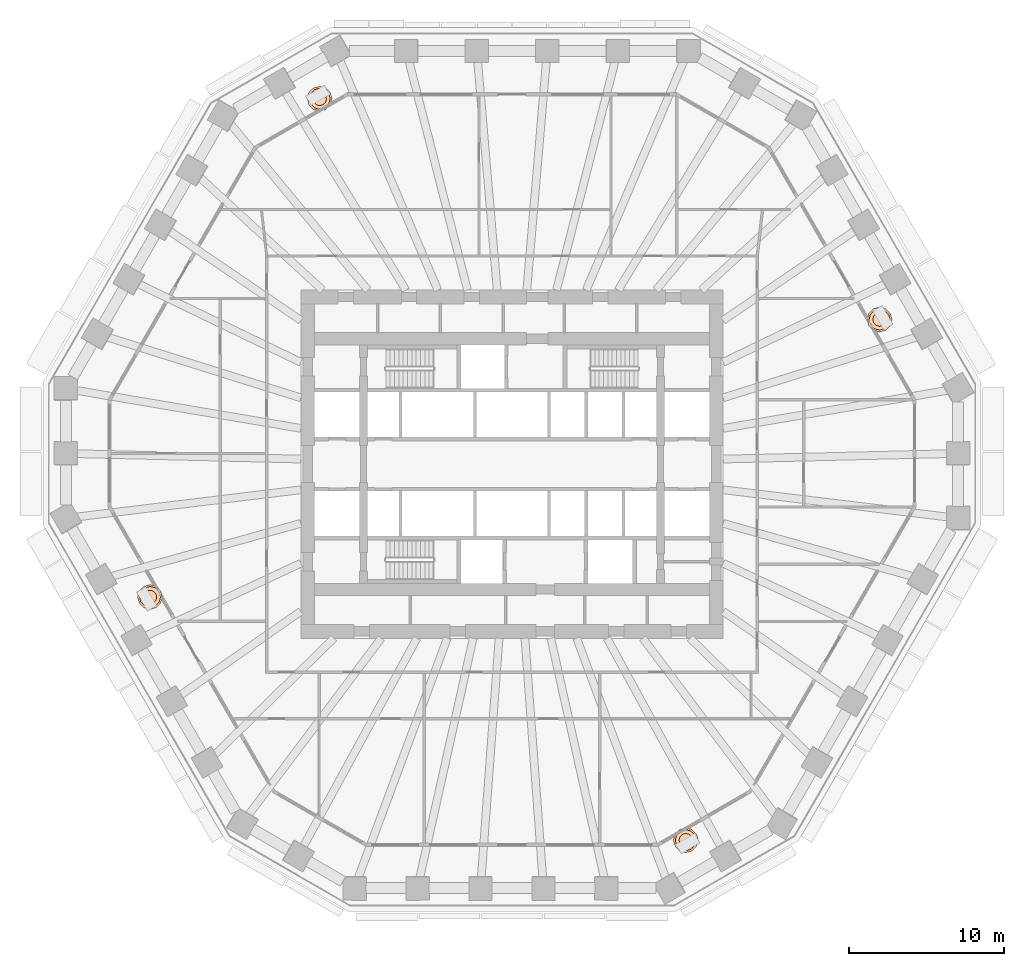
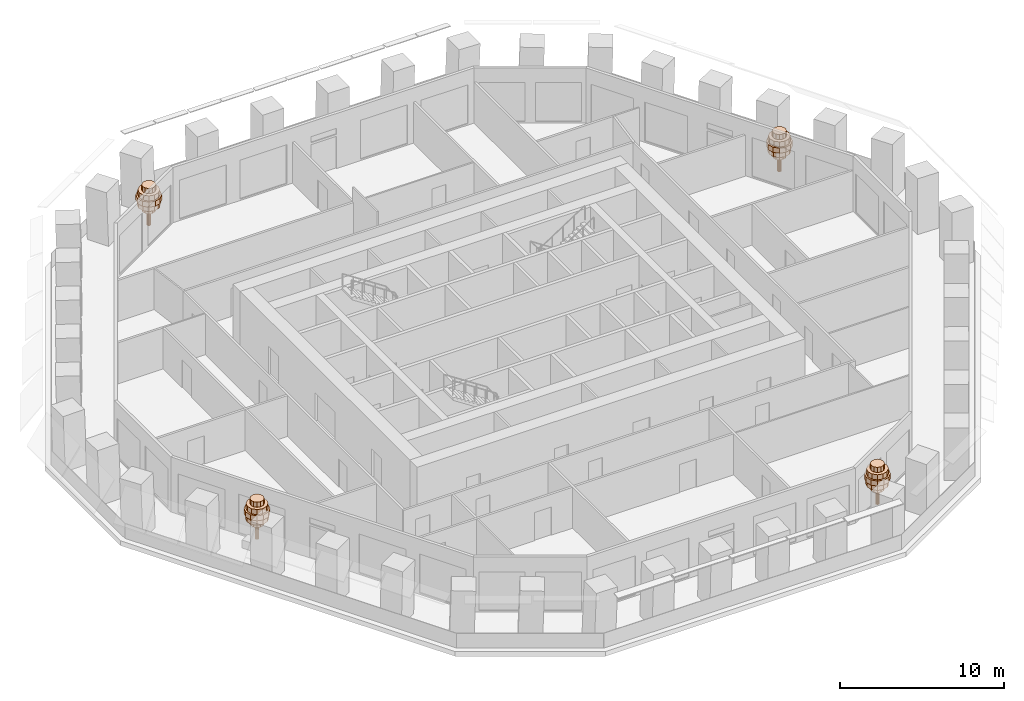
# One storey, part 13 of 13: 4 geographic elements.
"""IFC4 building model written with IfcOpenShell, lengths in metres."""

from ifc_helpers import new_model, si_unit, direction, frame, origin, place, context, subcontext, project, spatial, polyline, outline, extrude, material, type_object, element, save


model = new_model("IFC4")

# Units and contexts
model_context = context("Model", 3, precision=1e-05, world=origin(), true_north=direction((0.0, 1.0)))
body_context = subcontext(model_context, "Body", "Model", "MODEL_VIEW")
ifc_project = project(units=[si_unit("LENGTHUNIT", "METRE"), si_unit("AREAUNIT", "SQUARE_METRE"), si_unit("VOLUMEUNIT", "CUBIC_METRE"), si_unit("PLANEANGLEUNIT", "RADIAN"), si_unit("MASSUNIT", "GRAM", prefix="KILO")], contexts=[model_context])

# Site, building, storey
site_placement = place(None, origin())
site = spatial("IfcSite", under=ifc_project, at=site_placement, CompositionType="ELEMENT")
building_placement = place(site_placement, origin())
building = spatial("IfcBuilding", under=site, at=building_placement, Name="Frailejon Research Tower", CompositionType="ELEMENT")
storey_placement = place(building_placement, frame((0.0, 0.0, 36.60009765625)))
storey = spatial("IfcBuildingStorey", under=building, at=storey_placement, Name="L08", CompositionType="ELEMENT", Elevation=36.60009765625)

# Geographic elements
ifc_material = material(Name="Foliage, green")
geographic_element_type = type_object("IfcGeographicElementType", Name="Frailejon tree, loggia", PredefinedType="USERDEFINED", material=ifc_material)
geographic_element_1_placement = place(storey_placement, frame((23.751220703125, 9.344482421875, 0.599853515625)))
element("IfcGeographicElement", 1, at=geographic_element_1_placement, inside=storey, type_object=geographic_element_type, Name="Tree L08", ObjectType="TREE", PredefinedType="USERDEFINED", context=body_context, shape_type="SweptSolid", body=[
    extrude(outline(polyline([(0.1298828125, 0.0), (0.112548828125, 0.06494140625), (0.06494140625, 0.112548828125), (0.0, 0.1298828125), (-0.06494140625, 0.112548828125), (-0.112548828125, 0.06494140625), (-0.1298828125, 0.0), (-0.112548828125, -0.06494140625), (-0.06494140625, -0.112548828125), (0.0, -0.1298828125), (0.06494140625, -0.112548828125), (0.112548828125, -0.06494140625), (0.1298828125, 0.0)])), origin(), (0.0, 0.0, 1.0), 2.239990234375),
    extrude(outline(polyline([(0.43994140625, 0.0), (0.381103515625, 0.219970703125), (0.219970703125, 0.381103515625), (0.0, 0.43994140625), (-0.219970703125, 0.381103515625), (-0.381103515625, 0.219970703125), (-0.43994140625, 0.0), (-0.381103515625, -0.219970703125), (-0.219970703125, -0.381103515625), (0.0, -0.43994140625), (0.219970703125, -0.381103515625), (0.381103515625, -0.219970703125), (0.43994140625, 0.0)])), frame((0.0, 0.0, 1.10009765625)), (0.0, 0.0, 1.0), 0.3798828125),
    extrude(outline(polyline([(0.719970703125, 0.0), (0.62353515625, 0.360107421875), (0.360107421875, 0.62353515625), (0.0, 0.719970703125), (-0.360107421875, 0.62353515625), (-0.62353515625, 0.360107421875), (-0.719970703125, 0.0), (-0.62353515625, -0.360107421875), (-0.360107421875, -0.62353515625), (0.0, -0.719970703125), (0.360107421875, -0.62353515625), (0.62353515625, -0.360107421875), (0.719970703125, 0.0)])), frame((0.0, 0.0, 1.47998046875)), (0.0, 0.0, 1.0), 0.3798828125),
    extrude(outline(polyline([(0.800048828125, 0.0), (0.69287109375, 0.39990234375), (0.39990234375, 0.69287109375), (0.0, 0.800048828125), (-0.39990234375, 0.69287109375), (-0.69287109375, 0.39990234375), (-0.800048828125, 0.0), (-0.69287109375, -0.39990234375), (-0.39990234375, -0.69287109375), (0.0, -0.800048828125), (0.39990234375, -0.69287109375), (0.69287109375, -0.39990234375), (0.800048828125, 0.0)])), frame((0.0, 0.0, 1.860107421875)), (0.0, 0.0, 1.0), 0.3798828125),
    extrude(outline(polyline([(0.679931640625, 0.0), (0.5888671875, 0.340087890625), (0.340087890625, 0.5888671875), (0.0, 0.679931640625), (-0.340087890625, 0.5888671875), (-0.5888671875, 0.340087890625), (-0.679931640625, 0.0), (-0.5888671875, -0.340087890625), (-0.340087890625, -0.5888671875), (0.0, -0.679931640625), (0.340087890625, -0.5888671875), (0.5888671875, -0.340087890625), (0.679931640625, 0.0)])), frame((0.0, 0.0, 2.239990234375)), (0.0, 0.0, 1.0), 0.3798828125),
    extrude(outline(polyline([(0.43994140625, 0.0), (0.381103515625, 0.219970703125), (0.219970703125, 0.381103515625), (0.0, 0.43994140625), (-0.219970703125, 0.381103515625), (-0.381103515625, 0.219970703125), (-0.43994140625, 0.0), (-0.381103515625, -0.219970703125), (-0.219970703125, -0.381103515625), (0.0, -0.43994140625), (0.219970703125, -0.381103515625), (0.381103515625, -0.219970703125), (0.43994140625, 0.0)])), frame((0.0, 0.0, 2.6201171875)), (0.0, 0.0, 1.0), 0.3798828125),
])
geographic_element_2_placement = place(storey_placement, frame((-12.4296875, 23.6103515625, 0.599853515625)))
element("IfcGeographicElement", 2, at=geographic_element_2_placement, inside=storey, type_object=geographic_element_type, Name="Tree L08", ObjectType="TREE", PredefinedType="USERDEFINED", context=body_context, shape_type="SweptSolid", body=[
    extrude(outline(polyline([(0.1298828125, 0.0), (0.112548828125, 0.06494140625), (0.06494140625, 0.112548828125), (0.0, 0.1298828125), (-0.06494140625, 0.112548828125), (-0.112548828125, 0.06494140625), (-0.1298828125, 0.0), (-0.112548828125, -0.06494140625), (-0.06494140625, -0.112548828125), (0.0, -0.1298828125), (0.06494140625, -0.112548828125), (0.112548828125, -0.06494140625), (0.1298828125, 0.0)])), origin(), (0.0, 0.0, 1.0), 2.239990234375),
    extrude(outline(polyline([(0.43994140625, 0.0), (0.381103515625, 0.219970703125), (0.219970703125, 0.381103515625), (0.0, 0.43994140625), (-0.219970703125, 0.381103515625), (-0.381103515625, 0.219970703125), (-0.43994140625, 0.0), (-0.381103515625, -0.219970703125), (-0.219970703125, -0.381103515625), (0.0, -0.43994140625), (0.219970703125, -0.381103515625), (0.381103515625, -0.219970703125), (0.43994140625, 0.0)])), frame((0.0, 0.0, 1.10009765625)), (0.0, 0.0, 1.0), 0.3798828125),
    extrude(outline(polyline([(0.719970703125, 0.0), (0.62353515625, 0.360107421875), (0.360107421875, 0.62353515625), (0.0, 0.719970703125), (-0.360107421875, 0.62353515625), (-0.62353515625, 0.360107421875), (-0.719970703125, 0.0), (-0.62353515625, -0.360107421875), (-0.360107421875, -0.62353515625), (0.0, -0.719970703125), (0.360107421875, -0.62353515625), (0.62353515625, -0.360107421875), (0.719970703125, 0.0)])), frame((0.0, 0.0, 1.47998046875)), (0.0, 0.0, 1.0), 0.3798828125),
    extrude(outline(polyline([(0.800048828125, 0.0), (0.69287109375, 0.39990234375), (0.39990234375, 0.69287109375), (0.0, 0.800048828125), (-0.39990234375, 0.69287109375), (-0.69287109375, 0.39990234375), (-0.800048828125, 0.0), (-0.69287109375, -0.39990234375), (-0.39990234375, -0.69287109375), (0.0, -0.800048828125), (0.39990234375, -0.69287109375), (0.69287109375, -0.39990234375), (0.800048828125, 0.0)])), frame((0.0, 0.0, 1.860107421875)), (0.0, 0.0, 1.0), 0.3798828125),
    extrude(outline(polyline([(0.679931640625, 0.0), (0.5888671875, 0.340087890625), (0.340087890625, 0.5888671875), (0.0, 0.679931640625), (-0.340087890625, 0.5888671875), (-0.5888671875, 0.340087890625), (-0.679931640625, 0.0), (-0.5888671875, -0.340087890625), (-0.340087890625, -0.5888671875), (0.0, -0.679931640625), (0.340087890625, -0.5888671875), (0.5888671875, -0.340087890625), (0.679931640625, 0.0)])), frame((0.0, 0.0, 2.239990234375)), (0.0, 0.0, 1.0), 0.3798828125),
    extrude(outline(polyline([(0.43994140625, 0.0), (0.381103515625, 0.219970703125), (0.219970703125, 0.381103515625), (0.0, 0.43994140625), (-0.219970703125, 0.381103515625), (-0.381103515625, 0.219970703125), (-0.43994140625, 0.0), (-0.381103515625, -0.219970703125), (-0.219970703125, -0.381103515625), (0.0, -0.43994140625), (0.219970703125, -0.381103515625), (0.381103515625, -0.219970703125), (0.43994140625, 0.0)])), frame((0.0, 0.0, 2.6201171875)), (0.0, 0.0, 1.0), 0.3798828125),
])
geographic_element_3_placement = place(storey_placement, frame((-23.391845703125, -8.583984375, 0.599853515625)))
element("IfcGeographicElement", 3, at=geographic_element_3_placement, inside=storey, type_object=geographic_element_type, Name="Tree L08", ObjectType="TREE", PredefinedType="USERDEFINED", context=body_context, shape_type="SweptSolid", body=[
    extrude(outline(polyline([(0.1298828125, 0.0), (0.112548828125, 0.06494140625), (0.06494140625, 0.112548828125), (0.0, 0.1298828125), (-0.06494140625, 0.112548828125), (-0.112548828125, 0.06494140625), (-0.1298828125, 0.0), (-0.112548828125, -0.06494140625), (-0.06494140625, -0.112548828125), (0.0, -0.1298828125), (0.06494140625, -0.112548828125), (0.112548828125, -0.06494140625), (0.1298828125, 0.0)])), origin(), (0.0, 0.0, 1.0), 2.239990234375),
    extrude(outline(polyline([(0.43994140625, 0.0), (0.381103515625, 0.219970703125), (0.219970703125, 0.381103515625), (0.0, 0.43994140625), (-0.219970703125, 0.381103515625), (-0.381103515625, 0.219970703125), (-0.43994140625, 0.0), (-0.381103515625, -0.219970703125), (-0.219970703125, -0.381103515625), (0.0, -0.43994140625), (0.219970703125, -0.381103515625), (0.381103515625, -0.219970703125), (0.43994140625, 0.0)])), frame((0.0, 0.0, 1.10009765625)), (0.0, 0.0, 1.0), 0.3798828125),
    extrude(outline(polyline([(0.719970703125, 0.0), (0.62353515625, 0.360107421875), (0.360107421875, 0.62353515625), (0.0, 0.719970703125), (-0.360107421875, 0.62353515625), (-0.62353515625, 0.360107421875), (-0.719970703125, 0.0), (-0.62353515625, -0.360107421875), (-0.360107421875, -0.62353515625), (0.0, -0.719970703125), (0.360107421875, -0.62353515625), (0.62353515625, -0.360107421875), (0.719970703125, 0.0)])), frame((0.0, 0.0, 1.47998046875)), (0.0, 0.0, 1.0), 0.3798828125),
    extrude(outline(polyline([(0.800048828125, 0.0), (0.69287109375, 0.39990234375), (0.39990234375, 0.69287109375), (0.0, 0.800048828125), (-0.39990234375, 0.69287109375), (-0.69287109375, 0.39990234375), (-0.800048828125, 0.0), (-0.69287109375, -0.39990234375), (-0.39990234375, -0.69287109375), (0.0, -0.800048828125), (0.39990234375, -0.69287109375), (0.69287109375, -0.39990234375), (0.800048828125, 0.0)])), frame((0.0, 0.0, 1.860107421875)), (0.0, 0.0, 1.0), 0.3798828125),
    extrude(outline(polyline([(0.679931640625, 0.0), (0.5888671875, 0.340087890625), (0.340087890625, 0.5888671875), (0.0, 0.679931640625), (-0.340087890625, 0.5888671875), (-0.5888671875, 0.340087890625), (-0.679931640625, 0.0), (-0.5888671875, -0.340087890625), (-0.340087890625, -0.5888671875), (0.0, -0.679931640625), (0.340087890625, -0.5888671875), (0.5888671875, -0.340087890625), (0.679931640625, 0.0)])), frame((0.0, 0.0, 2.239990234375)), (0.0, 0.0, 1.0), 0.3798828125),
    extrude(outline(polyline([(0.43994140625, 0.0), (0.381103515625, 0.219970703125), (0.219970703125, 0.381103515625), (0.0, 0.43994140625), (-0.219970703125, 0.381103515625), (-0.381103515625, 0.219970703125), (-0.43994140625, 0.0), (-0.381103515625, -0.219970703125), (-0.219970703125, -0.381103515625), (0.0, -0.43994140625), (0.219970703125, -0.381103515625), (0.381103515625, -0.219970703125), (0.43994140625, 0.0)])), frame((0.0, 0.0, 2.6201171875)), (0.0, 0.0, 1.0), 0.3798828125),
])
geographic_element_4_placement = place(storey_placement, frame((11.232177734375, -24.3017578125, 0.599853515625)))
element("IfcGeographicElement", 4, at=geographic_element_4_placement, inside=storey, type_object=geographic_element_type, Name="Tree L08", ObjectType="TREE", PredefinedType="USERDEFINED", context=body_context, shape_type="SweptSolid", body=[
    extrude(outline(polyline([(0.1298828125, 0.0), (0.112548828125, 0.06494140625), (0.06494140625, 0.112548828125), (0.0, 0.1298828125), (-0.06494140625, 0.112548828125), (-0.112548828125, 0.06494140625), (-0.1298828125, 0.0), (-0.112548828125, -0.06494140625), (-0.06494140625, -0.112548828125), (0.0, -0.1298828125), (0.06494140625, -0.112548828125), (0.112548828125, -0.06494140625), (0.1298828125, 0.0)])), origin(), (0.0, 0.0, 1.0), 2.239990234375),
    extrude(outline(polyline([(0.43994140625, 0.0), (0.381103515625, 0.219970703125), (0.219970703125, 0.381103515625), (0.0, 0.43994140625), (-0.219970703125, 0.381103515625), (-0.381103515625, 0.219970703125), (-0.43994140625, 0.0), (-0.381103515625, -0.219970703125), (-0.219970703125, -0.381103515625), (0.0, -0.43994140625), (0.219970703125, -0.381103515625), (0.381103515625, -0.219970703125), (0.43994140625, 0.0)])), frame((0.0, 0.0, 1.10009765625)), (0.0, 0.0, 1.0), 0.3798828125),
    extrude(outline(polyline([(0.719970703125, 0.0), (0.62353515625, 0.360107421875), (0.360107421875, 0.62353515625), (0.0, 0.719970703125), (-0.360107421875, 0.62353515625), (-0.62353515625, 0.360107421875), (-0.719970703125, 0.0), (-0.62353515625, -0.360107421875), (-0.360107421875, -0.62353515625), (0.0, -0.719970703125), (0.360107421875, -0.62353515625), (0.62353515625, -0.360107421875), (0.719970703125, 0.0)])), frame((0.0, 0.0, 1.47998046875)), (0.0, 0.0, 1.0), 0.3798828125),
    extrude(outline(polyline([(0.800048828125, 0.0), (0.69287109375, 0.39990234375), (0.39990234375, 0.69287109375), (0.0, 0.800048828125), (-0.39990234375, 0.69287109375), (-0.69287109375, 0.39990234375), (-0.800048828125, 0.0), (-0.69287109375, -0.39990234375), (-0.39990234375, -0.69287109375), (0.0, -0.800048828125), (0.39990234375, -0.69287109375), (0.69287109375, -0.39990234375), (0.800048828125, 0.0)])), frame((0.0, 0.0, 1.860107421875)), (0.0, 0.0, 1.0), 0.3798828125),
    extrude(outline(polyline([(0.679931640625, 0.0), (0.5888671875, 0.340087890625), (0.340087890625, 0.5888671875), (0.0, 0.679931640625), (-0.340087890625, 0.5888671875), (-0.5888671875, 0.340087890625), (-0.679931640625, 0.0), (-0.5888671875, -0.340087890625), (-0.340087890625, -0.5888671875), (0.0, -0.679931640625), (0.340087890625, -0.5888671875), (0.5888671875, -0.340087890625), (0.679931640625, 0.0)])), frame((0.0, 0.0, 2.239990234375)), (0.0, 0.0, 1.0), 0.3798828125),
    extrude(outline(polyline([(0.43994140625, 0.0), (0.381103515625, 0.219970703125), (0.219970703125, 0.381103515625), (0.0, 0.43994140625), (-0.219970703125, 0.381103515625), (-0.381103515625, 0.219970703125), (-0.43994140625, 0.0), (-0.381103515625, -0.219970703125), (-0.219970703125, -0.381103515625), (0.0, -0.43994140625), (0.219970703125, -0.381103515625), (0.381103515625, -0.219970703125), (0.43994140625, 0.0)])), frame((0.0, 0.0, 2.6201171875)), (0.0, 0.0, 1.0), 0.3798828125),
])

save(model, "model.ifc")
